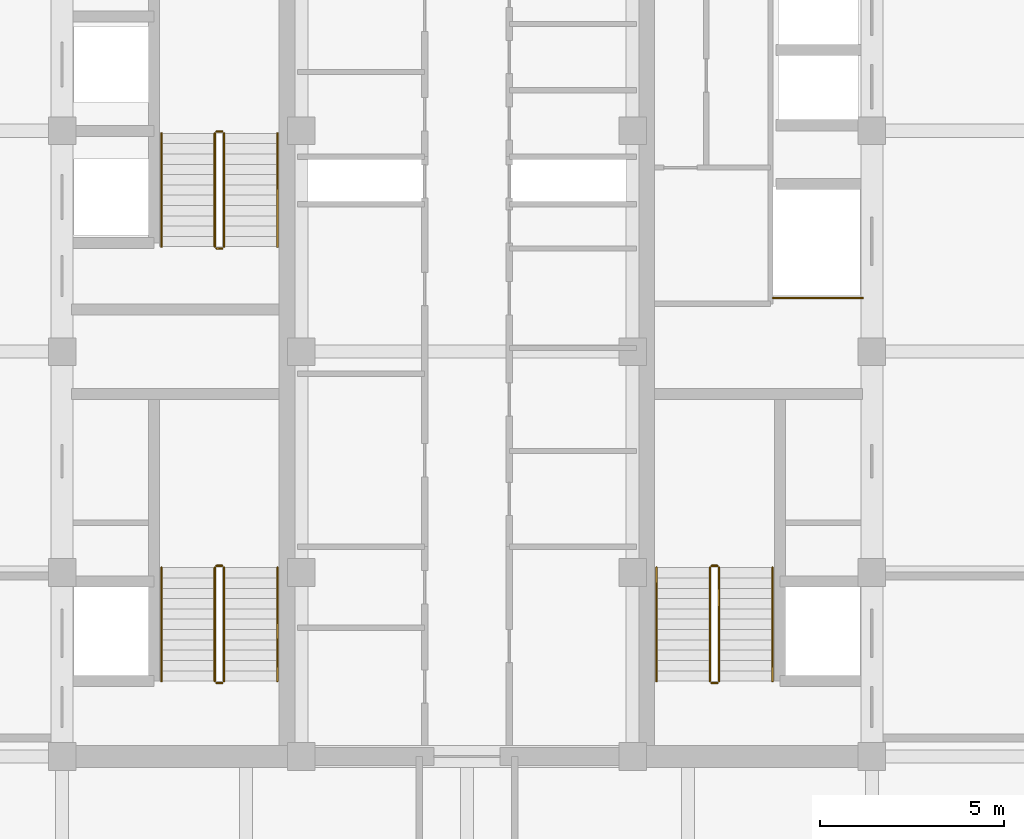
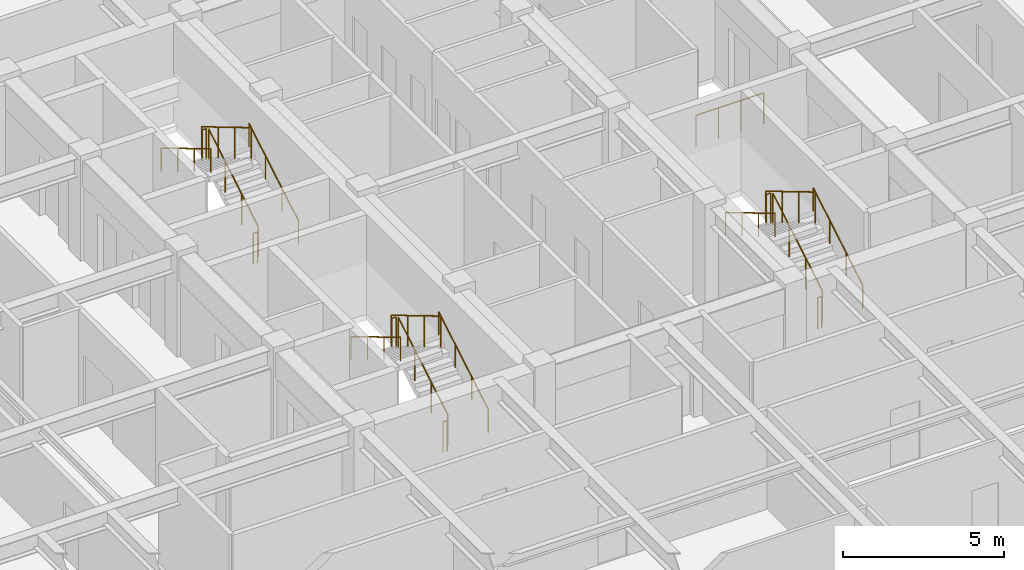
# One storey, part 22 of 22: 19 railings.
"""IFC4 building model written with IfcOpenShell, lengths in metres."""

from ifc_helpers import new_model, si_unit, direction, frame, origin, origin_2d, place, context, subcontext, project, spatial, circle, extrude, source, transform, mapped, material, type_object, element, save


model = new_model("IFC4")

# Units and contexts
model_context = context("Model", 3, precision=1e-05, world=origin(), true_north=direction((0.0, 1.0)))
body_context = subcontext(model_context, "Body", "Model", "MODEL_VIEW")
ifc_project = project(units=[si_unit("LENGTHUNIT", "METRE"), si_unit("AREAUNIT", "SQUARE_METRE"), si_unit("VOLUMEUNIT", "CUBIC_METRE"), si_unit("PLANEANGLEUNIT", "RADIAN"), si_unit("MASSUNIT", "GRAM", prefix="KILO")], contexts=[model_context])

# Site, building, storey
site_placement = place(None, origin())
site = spatial("IfcSite", under=ifc_project, at=site_placement, CompositionType="ELEMENT")
building_placement = place(site_placement, origin())
building = spatial("IfcBuilding", under=site, at=building_placement, Name="Khorayat Bourse Tower", CompositionType="ELEMENT")
storey_placement = place(building_placement, frame((0.0, 0.0, 289.5)))
storey = spatial("IfcBuildingStorey", under=building, at=storey_placement, Name="L68", CompositionType="ELEMENT", Elevation=289.5)

# Railings
ifc_material_1 = material(Name="Powder-coated steel balustrade", Category="steel")
railing_type_1 = type_object("IfcRailingType", Name="RLG-GUARD-1200", PredefinedType="GUARDRAIL", material=ifc_material_1)
shared_shape_1 = source(origin(), body_context, "Body", "SweptSolid", [
    extrude(circle(Radius=0.02392578125, at=origin_2d()), frame((0.0, 0.0, 1.17578125), z_axis=(-1.0, 0.0, 0.0), x_axis=(0.0, -1.0, 0.0)), (0.0, 0.0, 1.0), 0.150146484375),
    extrude(circle(Radius=0.02099609375, at=origin_2d()), origin(), (0.0, 0.0, 1.0), 1.15185546875),
    extrude(circle(Radius=0.02099609375, at=origin_2d()), frame((-0.150146484375, 0.0, 0.0)), (0.0, 0.0, 1.0), 1.15185546875),
])
for number, where, name in (
    (1, (-6.64990234375, -5.820068359375, 2.0), "L68 ST-1 stair guard 2"),
    (2, (-6.64990234375, -9.0, 0.0), "L68 ST-1 stair guard 4"),
    (3, (-6.64990234375, 5.97998046875, 2.0), "L68 ST-2 stair guard 2"),
    (4, (-6.64990234375, 2.800048828125, 0.0), "L68 ST-2 stair guard 4"),
    (5, (6.800048828125, -5.820068359375, 2.0), "L68 ST-3 stair guard 2"),
    (6, (6.800048828125, -9.0, 0.0), "L68 ST-3 stair guard 4"),
):
    element("IfcRailing", number, at=place(storey_placement, frame(where)), inside=storey, type_object=railing_type_1, Name=name, PredefinedType="GUARDRAIL", context=body_context, shape_type="MappedRepresentation", body=[
        mapped(shared_shape_1, transform((0.0, 0.0, 0.0), scale=1.0)),
    ])
shared_shape_2 = source(origin(), body_context, "Body", "SweptSolid", [
    extrude(circle(Radius=0.02392578125, at=origin_2d()), frame((0.0, 0.0, 1.17578125), z_axis=(0.0, 0.859290745958, 0.51148745235), x_axis=(-1.0, 0.0, 0.0)), (0.0, 0.0, 1.0), 3.584228515625),
    extrude(circle(Radius=0.02099609375, at=origin_2d()), origin(), (0.0, 0.0, 1.0), 1.15185546875),
    extrude(circle(Radius=0.02099609375, at=origin_2d()), frame((0.0, 1.026611328125, 0.611083984375)), (0.0, 0.0, 1.0), 1.15185546875),
    extrude(circle(Radius=0.02099609375, at=origin_2d()), frame((0.0, 2.05322265625, 1.22216796875)), (0.0, 0.0, 1.0), 1.15185546875),
    extrude(circle(Radius=0.02099609375, at=origin_2d()), frame((0.0, 3.079833984375, 1.833251953125)), (0.0, 0.0, 1.0), 1.15185546875),
])
for number, where, name in (
    (7, (-6.60009765625, -8.949951171875, 0.166748046875), "L68 ST-1 stair guard 1"),
    (8, (-6.60009765625, 2.85009765625, 0.166748046875), "L68 ST-2 stair guard 1"),
    (9, (6.85009765625, -8.949951171875, 0.166748046875), "L68 ST-3 stair guard 1"),
):
    element("IfcRailing", number, at=place(storey_placement, frame(where)), inside=storey, type_object=railing_type_1, Name=name, PredefinedType="GUARDRAIL", context=body_context, shape_type="MappedRepresentation", body=[
        mapped(shared_shape_2, transform((0.0, 0.0, 0.0), scale=1.0)),
    ])
shared_shape_3 = source(origin(), body_context, "Body", "SweptSolid", [
    extrude(circle(Radius=0.02392578125, at=origin_2d()), frame((0.0, 0.0, 1.17578125), z_axis=(0.0, -0.859290745958, 0.51148745235), x_axis=(1.0, 0.0, 0.0)), (0.0, 0.0, 1.0), 3.584228515625),
    extrude(circle(Radius=0.02099609375, at=origin_2d()), origin(), (0.0, 0.0, 1.0), 1.15185546875),
    extrude(circle(Radius=0.02099609375, at=origin_2d()), frame((0.0, -1.026611328125, 0.611083984375)), (0.0, 0.0, 1.0), 1.15185546875),
    extrude(circle(Radius=0.02099609375, at=origin_2d()), frame((0.0, -2.05322265625, 1.22216796875)), (0.0, 0.0, 1.0), 1.15185546875),
    extrude(circle(Radius=0.02099609375, at=origin_2d()), frame((0.0, -3.079833984375, 1.833251953125)), (0.0, 0.0, 1.0), 1.15185546875),
])
for number, where, name in (
    (10, (-6.85009765625, -5.8701171875, 2.166748046875), "L68 ST-1 stair guard 3"),
    (11, (-6.85009765625, 5.929931640625, 2.166748046875), "L68 ST-2 stair guard 3"),
    (12, (6.60009765625, -5.8701171875, 2.166748046875), "L68 ST-3 stair guard 3"),
):
    element("IfcRailing", number, at=place(storey_placement, frame(where)), inside=storey, type_object=railing_type_1, Name=name, PredefinedType="GUARDRAIL", context=body_context, shape_type="MappedRepresentation", body=[
        mapped(shared_shape_3, transform((0.0, 0.0, 0.0), scale=1.0)),
    ])
ifc_material_2 = material(Name="Brushed bronze stainless-steel handrail", Category="steel")
railing_type_2 = type_object("IfcRailingType", Name="RLG-HAND-900", PredefinedType="HANDRAIL", material=ifc_material_2)
shared_shape_4 = source(origin(), body_context, "Body", "SweptSolid", [
    extrude(circle(Radius=0.02392578125, at=origin_2d()), frame((0.0, 0.0, 0.8759765625), z_axis=(0.0, 0.859290745958, 0.51148745235), x_axis=(-1.0, 0.0, 0.0)), (0.0, 0.0, 1.0), 3.584228515625),
    extrude(circle(Radius=0.02099609375, at=origin_2d()), origin(), (0.0, 0.0, 1.0), 0.851806640625),
    extrude(circle(Radius=0.02099609375, at=origin_2d()), frame((0.0, 1.026611328125, 0.611083984375)), (0.0, 0.0, 1.0), 0.851806640625),
    extrude(circle(Radius=0.02099609375, at=origin_2d()), frame((0.0, 2.05322265625, 1.22216796875)), (0.0, 0.0, 1.0), 0.851806640625),
    extrude(circle(Radius=0.02099609375, at=origin_2d()), frame((0.0, 3.079833984375, 1.833251953125)), (0.0, 0.0, 1.0), 0.851806640625),
])
for number, where, name in (
    (13, (-5.14990234375, -8.949951171875, 0.166748046875), "L68 ST-1 stair handrail 1"),
    (14, (-5.14990234375, 2.85009765625, 0.166748046875), "L68 ST-2 stair handrail 1"),
    (15, (8.300048828125, -8.949951171875, 0.166748046875), "L68 ST-3 stair handrail 1"),
):
    element("IfcRailing", number, at=place(storey_placement, frame(where)), inside=storey, type_object=railing_type_2, Name=name, PredefinedType="HANDRAIL", context=body_context, shape_type="MappedRepresentation", body=[
        mapped(shared_shape_4, transform((0.0, 0.0, 0.0), scale=1.0)),
    ])
shared_shape_5 = source(origin(), body_context, "Body", "SweptSolid", [
    extrude(circle(Radius=0.02392578125, at=origin_2d()), frame((0.0, 0.0, 0.8759765625), z_axis=(0.0, -0.859290745958, 0.51148745235), x_axis=(1.0, 0.0, 0.0)), (0.0, 0.0, 1.0), 3.584228515625),
    extrude(circle(Radius=0.02099609375, at=origin_2d()), origin(), (0.0, 0.0, 1.0), 0.851806640625),
    extrude(circle(Radius=0.02099609375, at=origin_2d()), frame((0.0, -1.026611328125, 0.611083984375)), (0.0, 0.0, 1.0), 0.851806640625),
    extrude(circle(Radius=0.02099609375, at=origin_2d()), frame((0.0, -2.05322265625, 1.22216796875)), (0.0, 0.0, 1.0), 0.851806640625),
    extrude(circle(Radius=0.02099609375, at=origin_2d()), frame((0.0, -3.079833984375, 1.833251953125)), (0.0, 0.0, 1.0), 0.851806640625),
])
for number, where, name in (
    (16, (-8.300048828125, -5.8701171875, 2.166748046875), "L68 ST-1 stair handrail 2"),
    (17, (-8.300048828125, 5.929931640625, 2.166748046875), "L68 ST-2 stair handrail 2"),
    (18, (5.14990234375, -5.8701171875, 2.166748046875), "L68 ST-3 stair handrail 2"),
):
    element("IfcRailing", number, at=place(storey_placement, frame(where)), inside=storey, type_object=railing_type_2, Name=name, PredefinedType="HANDRAIL", context=body_context, shape_type="MappedRepresentation", body=[
        mapped(shared_shape_5, transform((0.0, 0.0, 0.0), scale=1.0)),
    ])
shared_shape_6 = source(origin(), body_context, "Body", "SweptSolid", [
    extrude(circle(Radius=0.02392578125, at=origin_2d()), frame((0.0, 0.0, 1.17578125), z_axis=(1.0, 0.0, 0.0), x_axis=(0.0, 1.0, 0.0)), (0.0, 0.0, 1.0), 2.429931640625),
    extrude(circle(Radius=0.02099609375, at=origin_2d()), origin(), (0.0, 0.0, 1.0), 1.15185546875),
    extrude(circle(Radius=0.02099609375, at=origin_2d()), frame((0.81005859375, 0.0, 0.0)), (0.0, 0.0, 1.0), 1.15185546875),
    extrude(circle(Radius=0.02099609375, at=origin_2d()), frame((1.619873046875, 0.0, 0.0)), (0.0, 0.0, 1.0), 1.15185546875),
    extrude(circle(Radius=0.02099609375, at=origin_2d()), frame((2.429931640625, 0.0, 0.0)), (0.0, 0.0, 1.0), 1.15185546875),
])
railing_placement = place(storey_placement, frame((8.320068359375, 1.4599609375, 0.0)))
element("IfcRailing", 19, at=railing_placement, inside=storey, type_object=railing_type_1, Name="L68 Goods Shaft Opening Guardrail", PredefinedType="GUARDRAIL", context=body_context, shape_type="MappedRepresentation", body=[
    mapped(shared_shape_6, transform((0.0, 0.0, 0.0), scale=1.0)),
])

save(model, "model.ifc")
